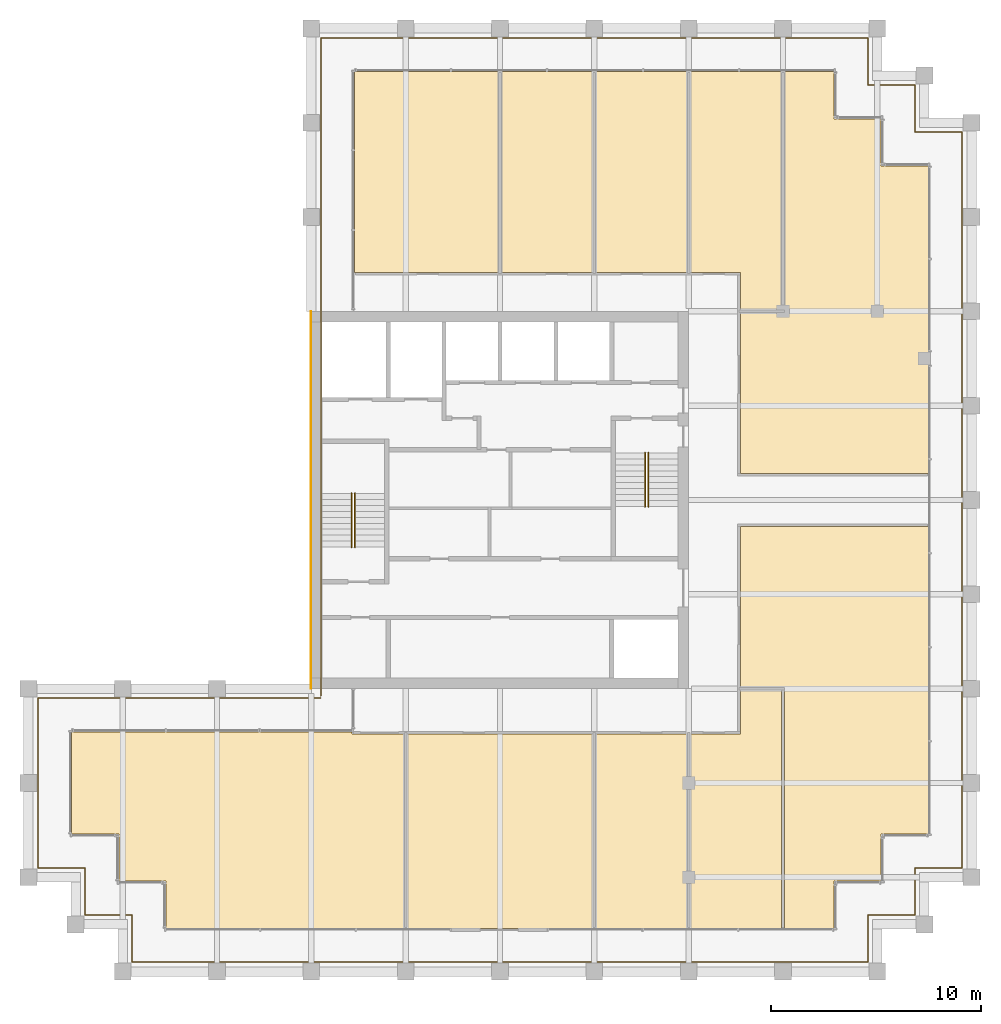
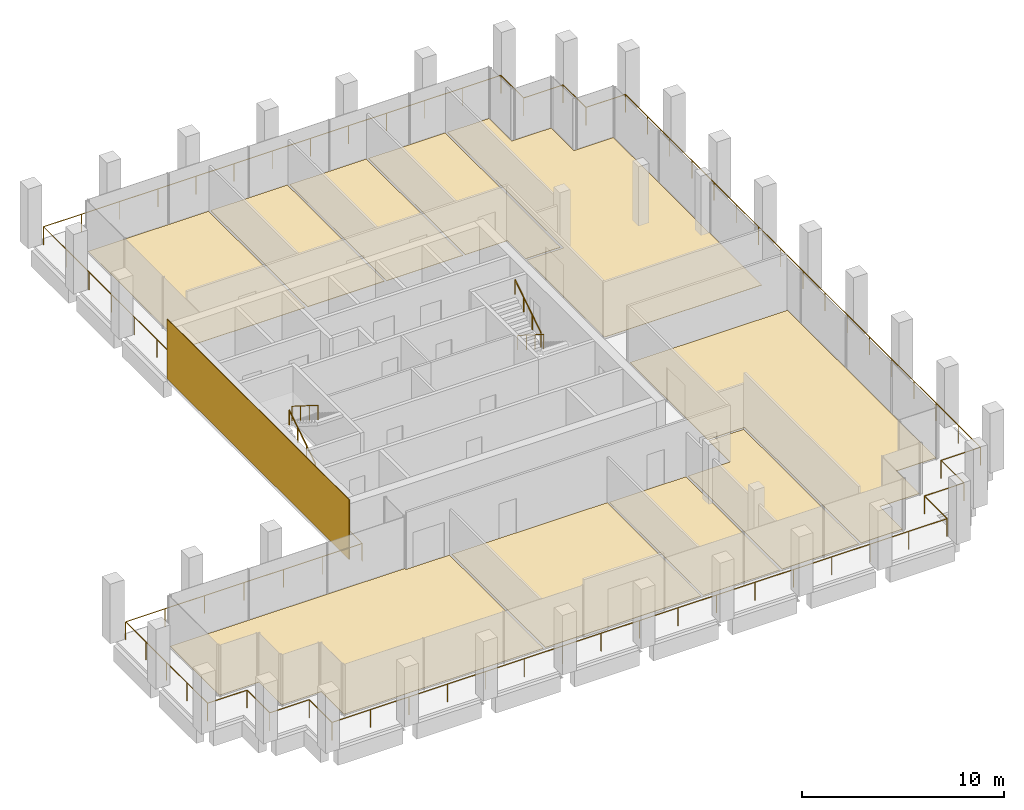
# One storey, part 30 of 30: 11 coverings, 5 railings.
"""IFC4 building model written with IfcOpenShell, lengths in metres."""

from ifc_helpers import new_model, si_unit, direction, frame, origin, origin_2d, place, context, subcontext, project, spatial, polyline, rectangle, circle, outline, extrude, source, transform, mapped, material, layer, layer_set, type_object, element, save


model = new_model("IFC4")

# Units and contexts
model_context = context("Model", 3, precision=1e-05, world=origin(), true_north=direction((0.0, 1.0)))
body_context = subcontext(model_context, "Body", "Model", "MODEL_VIEW")
ifc_project = project(units=[si_unit("LENGTHUNIT", "METRE"), si_unit("AREAUNIT", "SQUARE_METRE"), si_unit("VOLUMEUNIT", "CUBIC_METRE"), si_unit("PLANEANGLEUNIT", "RADIAN"), si_unit("MASSUNIT", "GRAM", prefix="KILO")], contexts=[model_context])

# Site, building, storey
site_placement = place(None, origin())
site = spatial("IfcSite", under=ifc_project, at=site_placement, CompositionType="ELEMENT")
building_placement = place(site_placement, origin())
building = spatial("IfcBuilding", under=site, at=building_placement, Name="Altepetl Exchange Towers", CompositionType="ELEMENT")
storey_placement = place(building_placement, frame((0.0, 0.0, 224.39990234375)))
storey = spatial("IfcBuildingStorey", under=building, at=storey_placement, Name="L57", CompositionType="ELEMENT", Elevation=224.39990234375)

# Coverings
ifc_material_1 = material(Name="Carpet tile")
ifc_layer_1 = layer(ifc_material_1, 0.02001953125)
ifc_layer_set_1 = layer_set([ifc_layer_1], Name="Carpet tile")
covering_type_1 = type_object("IfcCoveringType", Name="Carpet tile floor", PredefinedType="FLOORING", material=ifc_layer_set_1)
covering_1_placement = place(storey_placement, origin())
element("IfcCovering", 1, at=covering_1_placement, inside=storey, type_object=covering_type_1, Name="Fund office floor finish A57.01", PredefinedType="FLOORING", context=body_context, shape_type="SweptSolid", body=[
    extrude(outline(polyline([(33.5625, 29.0625), (44.9375, 29.0625), (44.9375, 38.33740234375), (42.4375, 38.33740234375), (42.4375, 38.4375), (29.0625, 38.4375), (29.0625, 33.5625), (31.3125, 33.5625), (31.3125, 31.3125), (33.5625, 31.3125), (33.5625, 29.0625)])), origin(), (0.0, 0.0, 1.0), 0.02001953125),
])
covering_2_placement = place(storey_placement, origin())
element("IfcCovering", 2, at=covering_2_placement, inside=storey, type_object=covering_type_1, Name="Pantry floor finish A57.03", PredefinedType="FLOORING", context=body_context, shape_type="SweptSolid", body=[
    extrude(outline(polyline([(58.4375, 29.0625), (58.4375, 38.33740234375), (54.0625, 38.33740234375), (54.0625, 29.0625), (58.4375, 29.0625)])), origin(), (0.0, 0.0, 1.0), 0.02001953125),
])
covering_3_placement = place(storey_placement, origin())
element("IfcCovering", 3, at=covering_3_placement, inside=storey, type_object=covering_type_1, Name="Fund office floor finish A57.06", PredefinedType="FLOORING", context=body_context, shape_type="SweptSolid", body=[
    extrude(outline(polyline([(60.96240234375, 50.762451171875), (69.9375, 50.762451171875), (69.9375, 65.4375), (67.6875, 65.4375), (67.6875, 67.6875), (65.4375, 67.6875), (65.4375, 69.9375), (63.0625, 69.9375), (63.0625, 58.4375), (60.96240234375, 58.4375), (60.96240234375, 50.762451171875)])), origin(), (0.0, 0.0, 1.0), 0.02001953125),
])
covering_4_placement = place(storey_placement, origin())
element("IfcCovering", 4, at=covering_4_placement, inside=storey, type_object=covering_type_1, Name="Training room floor finish A57.07", PredefinedType="FLOORING", context=body_context, shape_type="SweptSolid", body=[
    extrude(outline(polyline([(60.96240234375, 58.5625), (62.9375, 58.5625), (62.9375, 69.9375), (58.5625, 69.9375), (58.5625, 60.362548828125), (60.96240234375, 60.362548828125), (60.96240234375, 58.5625)])), origin(), (0.0, 0.0, 1.0), 0.02001953125),
])
covering_5_placement = place(storey_placement, origin())
element("IfcCovering", 5, at=covering_5_placement, inside=storey, type_object=covering_type_1, Name="Meeting room floor finish A57.08", PredefinedType="FLOORING", context=body_context, shape_type="SweptSolid", body=[
    extrude(outline(polyline([(58.4375, 60.362548828125), (58.4375, 69.9375), (54.0625, 69.9375), (54.0625, 60.362548828125), (58.4375, 60.362548828125)])), origin(), (0.0, 0.0, 1.0), 0.02001953125),
])
covering_6_placement = place(storey_placement, origin())
element("IfcCovering", 6, at=covering_6_placement, inside=storey, type_object=covering_type_1, Name="Conference room floor finish A57.10", PredefinedType="FLOORING", context=body_context, shape_type="SweptSolid", body=[
    extrude(outline(polyline([(49.4375, 60.362548828125), (49.4375, 69.9375), (42.5625, 69.9375), (42.5625, 60.362548828125), (49.4375, 60.362548828125)])), origin(), (0.0, 0.0, 1.0), 0.02001953125),
])
ifc_material_2 = material(Name="Cantera stone", Category="masonry")
ifc_layer_2 = layer(ifc_material_2, 0.030029296875)
ifc_layer_set_2 = layer_set([ifc_layer_2], Name="Cantera stone")
covering_type_2 = type_object("IfcCoveringType", Name="Polished stone floor", PredefinedType="FLOORING", material=ifc_layer_set_2)
covering_7_placement = place(storey_placement, origin())
element("IfcCovering", 7, at=covering_7_placement, inside=storey, type_object=covering_type_2, Name="Staff club floor finish A57.02", PredefinedType="FLOORING", context=body_context, shape_type="SweptSolid", body=[
    extrude(outline(polyline([(53.9375, 29.0625), (53.9375, 38.33740234375), (45.0625, 38.33740234375), (45.0625, 29.0625), (53.9375, 29.0625)])), origin(), (0.0, 0.0, 1.0), 0.030029296875),
])
covering_8_placement = place(storey_placement, origin())
element("IfcCovering", 8, at=covering_8_placement, inside=storey, type_object=covering_type_2, Name="Boardroom floor finish A57.04", PredefinedType="FLOORING", context=body_context, shape_type="SweptSolid", body=[
    extrude(outline(polyline([(62.9375, 29.0625), (62.9375, 40.4375), (60.96240234375, 40.4375), (60.96240234375, 38.33740234375), (58.5625, 38.33740234375), (58.5625, 29.0625), (62.9375, 29.0625)])), origin(), (0.0, 0.0, 1.0), 0.030029296875),
])
covering_9_placement = place(storey_placement, origin())
element("IfcCovering", 9, at=covering_9_placement, inside=storey, type_object=covering_type_2, Name="Cafe floor finish A57.05", PredefinedType="FLOORING", context=body_context, shape_type="SweptSolid", body=[
    extrude(outline(polyline([(67.6875, 31.3125), (67.6875, 33.5625), (69.9375, 33.5625), (69.9375, 48.237548828125), (60.96240234375, 48.237548828125), (60.96240234375, 40.5625), (63.0625, 40.5625), (63.0625, 29.0625), (65.4375, 29.0625), (65.4375, 31.3125), (67.6875, 31.3125)])), origin(), (0.0, 0.0, 1.0), 0.030029296875),
])
covering_10_placement = place(storey_placement, origin())
element("IfcCovering", 10, at=covering_10_placement, inside=storey, type_object=covering_type_2, Name="Lounge floor finish A57.09", PredefinedType="FLOORING", context=body_context, shape_type="SweptSolid", body=[
    extrude(outline(polyline([(53.9375, 60.362548828125), (53.9375, 69.9375), (49.5625, 69.9375), (49.5625, 60.362548828125), (53.9375, 60.362548828125)])), origin(), (0.0, 0.0, 1.0), 0.030029296875),
])
ifc_material_3 = material(Name="Cantera limestone cladding", Category="masonry")
ifc_layer_3 = layer(ifc_material_3, 0.0400390625)
ifc_layer_set_3 = layer_set([ifc_layer_3], Name="Cantera limestone cladding")
covering_type_3 = type_object("IfcCoveringType", Name="Stone panel 40 cantera", PredefinedType="CLADDING", material=ifc_layer_set_3)
covering_11_placement = place(storey_placement, frame((40.47998046875, 49.5, 0.0), z_axis=(0.0, 0.0, 1.0), x_axis=(0.0, -1.0, 0.0)))
element("IfcCovering", 11, at=covering_11_placement, inside=storey, type_object=covering_type_3, Name="Stone cladding panel", PredefinedType="CLADDING", context=body_context, shape_type="SweptSolid", body=[
    extrude(rectangle(XDim=18.0, YDim=0.0400390625, at=origin_2d()), origin(), (0.0, 0.0, 1.0), 3.60009765625),
])

# Railings
ifc_material_4 = material(Name="Steel S355", Category="steel")
railing_type_1 = type_object("IfcRailingType", Name="Guard 1100 steel posts and rail", PredefinedType="GUARDRAIL", material=ifc_material_4)
shared_shape_1 = source(origin(), body_context, "Body", "SweptSolid", [
    extrude(circle(Radius=0.02099609375, at=origin_2d()), origin(), (0.0, 0.0, 1.0), 1.052001953125),
])
railing_1_placement = place(storey_placement, frame((40.949951171875, 40.050048828125, 0.0)))
element("IfcRailing", 12, at=railing_1_placement, inside=storey, type_object=railing_type_1, Name="Loggia guard", PredefinedType="GUARDRAIL", context=body_context, shape_type="SweptSolid", body=[
    extrude(circle(Radius=0.02392578125, at=origin_2d()), frame((0.0, 0.0, 1.076171875), z_axis=(-1.0, 0.0, 0.0), x_axis=(0.0, -1.0, 0.0)), (0.0, 0.0, 1.0), 13.5),
    extrude(circle(Radius=0.02392578125, at=origin_2d()), frame((-13.5, 0.0, 1.076171875), z_axis=(0.0, -1.0, 0.0), x_axis=(1.0, 0.0, 0.0)), (0.0, 0.0, 1.0), 8.10009765625),
    extrude(circle(Radius=0.02392578125, at=origin_2d()), frame((-13.5, -8.10009765625, 1.076171875), z_axis=(1.0, 0.0, 0.0), x_axis=(0.0, 1.0, 0.0)), (0.0, 0.0, 1.0), 2.25),
    extrude(circle(Radius=0.02392578125, at=origin_2d()), frame((-11.25, -8.10009765625, 1.076171875), z_axis=(0.0, -1.0, 0.0), x_axis=(1.0, 0.0, 0.0)), (0.0, 0.0, 1.0), 2.25),
    extrude(circle(Radius=0.02392578125, at=origin_2d()), frame((-11.25, -10.35009765625, 1.076171875), z_axis=(1.0, 0.0, 0.0), x_axis=(0.0, 1.0, 0.0)), (0.0, 0.0, 1.0), 2.25),
    extrude(circle(Radius=0.02392578125, at=origin_2d()), frame((-9.0, -10.35009765625, 1.076171875), z_axis=(0.0, -1.0, 0.0), x_axis=(1.0, 0.0, 0.0)), (0.0, 0.0, 1.0), 2.25),
    extrude(circle(Radius=0.02392578125, at=origin_2d()), frame((-9.0, -12.60009765625, 1.076171875), z_axis=(1.0, 0.0, 0.0), x_axis=(0.0, 1.0, 0.0)), (0.0, 0.0, 1.0), 35.10009765625),
    extrude(circle(Radius=0.02392578125, at=origin_2d()), frame((26.10009765625, -12.60009765625, 1.076171875), z_axis=(0.0, 1.0, 0.0), x_axis=(-1.0, 0.0, 0.0)), (0.0, 0.0, 1.0), 2.25),
    extrude(circle(Radius=0.02392578125, at=origin_2d()), frame((26.10009765625, -10.35009765625, 1.076171875), z_axis=(1.0, 0.0, 0.0), x_axis=(0.0, 1.0, 0.0)), (0.0, 0.0, 1.0), 2.25),
    extrude(circle(Radius=0.02392578125, at=origin_2d()), frame((28.35009765625, -10.35009765625, 1.076171875), z_axis=(0.0, 1.0, 0.0), x_axis=(-1.0, 0.0, 0.0)), (0.0, 0.0, 1.0), 2.25),
    extrude(circle(Radius=0.02392578125, at=origin_2d()), frame((28.35009765625, -8.10009765625, 1.076171875), z_axis=(1.0, 0.0, 0.0), x_axis=(0.0, 1.0, 0.0)), (0.0, 0.0, 1.0), 2.25),
    extrude(circle(Radius=0.02392578125, at=origin_2d()), frame((30.60009765625, -8.10009765625, 1.076171875), z_axis=(0.0, 1.0, 0.0), x_axis=(-1.0, 0.0, 0.0)), (0.0, 0.0, 1.0), 35.10009765625),
    extrude(circle(Radius=0.02392578125, at=origin_2d()), frame((30.60009765625, 27.0, 1.076171875), z_axis=(-1.0, 0.0, 0.0), x_axis=(0.0, -1.0, 0.0)), (0.0, 0.0, 1.0), 2.25),
    extrude(circle(Radius=0.02392578125, at=origin_2d()), frame((28.35009765625, 27.0, 1.076171875), z_axis=(0.0, 1.0, 0.0), x_axis=(-1.0, 0.0, 0.0)), (0.0, 0.0, 1.0), 2.25),
    extrude(circle(Radius=0.02392578125, at=origin_2d()), frame((28.35009765625, 29.25, 1.076171875), z_axis=(-1.0, 0.0, 0.0), x_axis=(0.0, -1.0, 0.0)), (0.0, 0.0, 1.0), 2.25),
    extrude(circle(Radius=0.02392578125, at=origin_2d()), frame((26.10009765625, 29.25, 1.076171875), z_axis=(0.0, 1.0, 0.0), x_axis=(-1.0, 0.0, 0.0)), (0.0, 0.0, 1.0), 2.25),
    extrude(circle(Radius=0.02392578125, at=origin_2d()), frame((26.10009765625, 31.5, 1.076171875), z_axis=(-1.0, 0.0, 0.0), x_axis=(0.0, -1.0, 0.0)), (0.0, 0.0, 1.0), 26.10009765625),
    extrude(circle(Radius=0.02392578125, at=origin_2d()), frame((0.0, 31.5, 1.076171875), z_axis=(0.0, -1.0, 0.0), x_axis=(1.0, 0.0, 0.0)), (0.0, 0.0, 1.0), 31.400146484375),
    mapped(shared_shape_1, transform((0.0, 0.0, 0.0))),
    mapped(shared_shape_1, transform((-2.25, 0.0, 0.0))),
    mapped(shared_shape_1, transform((-4.5, 0.0, 0.0))),
    mapped(shared_shape_1, transform((-6.75, 0.0, 0.0))),
    mapped(shared_shape_1, transform((-9.0, 0.0, 0.0))),
    mapped(shared_shape_1, transform((-11.25, 0.0, 0.0))),
    mapped(shared_shape_1, transform((-13.5, 0.0, 0.0))),
    mapped(shared_shape_1, transform((-13.5, -2.02490234375, 0.0))),
    mapped(shared_shape_1, transform((-13.5, -4.050048828125, 0.0))),
    mapped(shared_shape_1, transform((-13.5, -6.0751953125, 0.0))),
    mapped(shared_shape_1, transform((-13.5, -8.10009765625, 0.0))),
    mapped(shared_shape_1, transform((-11.25, -8.10009765625, 0.0))),
    mapped(shared_shape_1, transform((-11.25, -10.35009765625, 0.0))),
    mapped(shared_shape_1, transform((-9.0, -10.35009765625, 0.0))),
    mapped(shared_shape_1, transform((-9.0, -12.60009765625, 0.0))),
    mapped(shared_shape_1, transform((-6.80615234375, -12.60009765625, 0.0))),
    mapped(shared_shape_1, transform((-4.612548828125, -12.60009765625, 0.0))),
    mapped(shared_shape_1, transform((-2.418701171875, -12.60009765625, 0.0))),
    mapped(shared_shape_1, transform((-0.22509765625, -12.60009765625, 0.0))),
    mapped(shared_shape_1, transform((1.96875, -12.60009765625, 0.0))),
    mapped(shared_shape_1, transform((4.16259765625, -12.60009765625, 0.0))),
    mapped(shared_shape_1, transform((6.356201171875, -12.60009765625, 0.0))),
    mapped(shared_shape_1, transform((8.550048828125, -12.60009765625, 0.0))),
    mapped(shared_shape_1, transform((10.743896484375, -12.60009765625, 0.0))),
    mapped(shared_shape_1, transform((12.9375, -12.60009765625, 0.0))),
    mapped(shared_shape_1, transform((15.13134765625, -12.60009765625, 0.0))),
    mapped(shared_shape_1, transform((17.3251953125, -12.60009765625, 0.0))),
    mapped(shared_shape_1, transform((19.518798828125, -12.60009765625, 0.0))),
    mapped(shared_shape_1, transform((21.712646484375, -12.60009765625, 0.0))),
    mapped(shared_shape_1, transform((23.90625, -12.60009765625, 0.0))),
    mapped(shared_shape_1, transform((26.10009765625, -12.60009765625, 0.0))),
    mapped(shared_shape_1, transform((26.10009765625, -10.35009765625, 0.0))),
    mapped(shared_shape_1, transform((28.35009765625, -10.35009765625, 0.0))),
    mapped(shared_shape_1, transform((28.35009765625, -8.10009765625, 0.0))),
    mapped(shared_shape_1, transform((30.60009765625, -8.10009765625, 0.0))),
    mapped(shared_shape_1, transform((30.60009765625, -5.90625, 0.0))),
    mapped(shared_shape_1, transform((30.60009765625, -3.712646484375, 0.0))),
    mapped(shared_shape_1, transform((30.60009765625, -1.518798828125, 0.0))),
    mapped(shared_shape_1, transform((30.60009765625, 0.6748046875, 0.0))),
    mapped(shared_shape_1, transform((30.60009765625, 2.86865234375, 0.0))),
    mapped(shared_shape_1, transform((30.60009765625, 5.0625, 0.0))),
    mapped(shared_shape_1, transform((30.60009765625, 7.256103515625, 0.0))),
    mapped(shared_shape_1, transform((30.60009765625, 9.449951171875, 0.0))),
    mapped(shared_shape_1, transform((30.60009765625, 11.643798828125, 0.0))),
    mapped(shared_shape_1, transform((30.60009765625, 13.83740234375, 0.0))),
    mapped(shared_shape_1, transform((30.60009765625, 16.03125, 0.0))),
    mapped(shared_shape_1, transform((30.60009765625, 18.22509765625, 0.0))),
    mapped(shared_shape_1, transform((30.60009765625, 20.418701171875, 0.0))),
    mapped(shared_shape_1, transform((30.60009765625, 22.612548828125, 0.0))),
    mapped(shared_shape_1, transform((30.60009765625, 24.80615234375, 0.0))),
    mapped(shared_shape_1, transform((30.60009765625, 27.0, 0.0))),
    mapped(shared_shape_1, transform((28.35009765625, 27.0, 0.0))),
    mapped(shared_shape_1, transform((28.35009765625, 29.25, 0.0))),
    mapped(shared_shape_1, transform((26.10009765625, 29.25, 0.0))),
    mapped(shared_shape_1, transform((26.10009765625, 31.5, 0.0))),
    mapped(shared_shape_1, transform((23.925048828125, 31.5, 0.0))),
    mapped(shared_shape_1, transform((21.75, 31.5, 0.0))),
    mapped(shared_shape_1, transform((19.5751953125, 31.5, 0.0))),
    mapped(shared_shape_1, transform((17.400146484375, 31.5, 0.0))),
    mapped(shared_shape_1, transform((15.22509765625, 31.5, 0.0))),
    mapped(shared_shape_1, transform((13.050048828125, 31.5, 0.0))),
    mapped(shared_shape_1, transform((10.875, 31.5, 0.0))),
    mapped(shared_shape_1, transform((8.699951171875, 31.5, 0.0))),
    mapped(shared_shape_1, transform((6.52490234375, 31.5, 0.0))),
    mapped(shared_shape_1, transform((4.35009765625, 31.5, 0.0))),
    mapped(shared_shape_1, transform((2.175048828125, 31.5, 0.0))),
    mapped(shared_shape_1, transform((0.0, 31.5, 0.0))),
    mapped(shared_shape_1, transform((0.0, 29.257080078125, 0.0))),
    mapped(shared_shape_1, transform((0.0, 27.01416015625, 0.0))),
    mapped(shared_shape_1, transform((0.0, 24.771484375, 0.0))),
    mapped(shared_shape_1, transform((0.0, 22.528564453125, 0.0))),
    mapped(shared_shape_1, transform((0.0, 20.28564453125, 0.0))),
    mapped(shared_shape_1, transform((0.0, 18.042724609375, 0.0))),
    mapped(shared_shape_1, transform((0.0, 15.7998046875, 0.0))),
    mapped(shared_shape_1, transform((0.0, 13.55712890625, 0.0))),
    mapped(shared_shape_1, transform((0.0, 11.314208984375, 0.0))),
    mapped(shared_shape_1, transform((0.0, 9.0712890625, 0.0))),
    mapped(shared_shape_1, transform((0.0, 6.828369140625, 0.0))),
    mapped(shared_shape_1, transform((0.0, 4.585693359375, 0.0))),
    mapped(shared_shape_1, transform((0.0, 2.3427734375, 0.0))),
    mapped(shared_shape_1, transform((0.0, 0.099853515625, 0.0))),
])
ifc_material_5 = material(Name="Steel", Category="steel")
railing_type_2 = type_object("IfcRailingType", Name="Stair handrail 50 steel tube", PredefinedType="HANDRAIL", material=ifc_material_5)
shared_shape_2 = source(origin(), body_context, "Body", "SweptSolid", [
    extrude(circle(Radius=0.02099609375, at=origin_2d()), origin(), (0.0, 0.0, 1.0), 0.851806640625),
])
railing_2_placement = place(storey_placement, frame((42.419921875, 47.25, 0.18017578125)))
element("IfcRailing", 13, at=railing_2_placement, inside=storey, type_object=railing_type_2, Name="Stair handrail", PredefinedType="HANDRAIL", context=body_context, shape_type="SweptSolid", body=[
    extrude(circle(Radius=0.02392578125, at=origin_2d()), frame((0.0, 0.0, 0.8759765625), z_axis=(0.0, 0.845502289212, 0.533971796014), x_axis=(-1.0, 0.0, 0.0)), (0.0, 0.0, 1.0), 3.03369140625),
    mapped(shared_shape_2, transform((0.0, 0.0, 0.0))),
    mapped(shared_shape_2, transform((0.0, 0.85498046875, 0.5400390625))),
    mapped(shared_shape_2, transform((0.0, 1.7099609375, 1.079833984375))),
    mapped(shared_shape_2, transform((0.0, 2.56494140625, 1.619873046875))),
])
railing_3_placement = place(storey_placement, frame((42.580078125, 49.81494140625, 1.97998046875)))
element("IfcRailing", 14, at=railing_3_placement, inside=storey, type_object=railing_type_2, Name="Stair handrail", PredefinedType="HANDRAIL", context=body_context, shape_type="SweptSolid", body=[
    extrude(circle(Radius=0.02392578125, at=origin_2d()), frame((0.0, 0.0, 0.8759765625), z_axis=(0.0, -0.845465955043, 0.534029323973), x_axis=(1.0, 0.0, 0.0)), (0.0, 0.0, 1.0), 3.03369140625),
    mapped(shared_shape_2, transform((0.0, 0.0, 0.0))),
    mapped(shared_shape_2, transform((0.0, -0.85498046875, 0.5400390625))),
    mapped(shared_shape_2, transform((0.0, -1.7099609375, 1.080078125))),
    mapped(shared_shape_2, transform((0.0, -2.56494140625, 1.6201171875))),
])
railing_4_placement = place(storey_placement, frame((56.580078125, 51.75, 0.18017578125)))
element("IfcRailing", 15, at=railing_4_placement, inside=storey, type_object=railing_type_2, Name="Stair handrail", PredefinedType="HANDRAIL", context=body_context, shape_type="SweptSolid", body=[
    extrude(circle(Radius=0.02392578125, at=origin_2d()), frame((0.0, 0.0, 0.8759765625), z_axis=(0.0, -0.845502289212, 0.533971796014), x_axis=(1.0, 0.0, 0.0)), (0.0, 0.0, 1.0), 3.03369140625),
    mapped(shared_shape_2, transform((0.0, 0.0, 0.0))),
    mapped(shared_shape_2, transform((0.0, -0.85498046875, 0.5400390625))),
    mapped(shared_shape_2, transform((0.0, -1.7099609375, 1.079833984375))),
    mapped(shared_shape_2, transform((0.0, -2.56494140625, 1.619873046875))),
])
railing_5_placement = place(storey_placement, frame((56.419921875, 49.18505859375, 1.97998046875)))
element("IfcRailing", 16, at=railing_5_placement, inside=storey, type_object=railing_type_2, Name="Stair handrail", PredefinedType="HANDRAIL", context=body_context, shape_type="SweptSolid", body=[
    extrude(circle(Radius=0.02392578125, at=origin_2d()), frame((0.0, 0.0, 0.8759765625), z_axis=(0.0, 0.845465955043, 0.534029323973), x_axis=(-1.0, 0.0, 0.0)), (0.0, 0.0, 1.0), 3.03369140625),
    mapped(shared_shape_2, transform((0.0, 0.0, 0.0))),
    mapped(shared_shape_2, transform((0.0, 0.85498046875, 0.5400390625))),
    mapped(shared_shape_2, transform((0.0, 1.7099609375, 1.080078125))),
    mapped(shared_shape_2, transform((0.0, 2.56494140625, 1.6201171875))),
])

save(model, "model.ifc")
